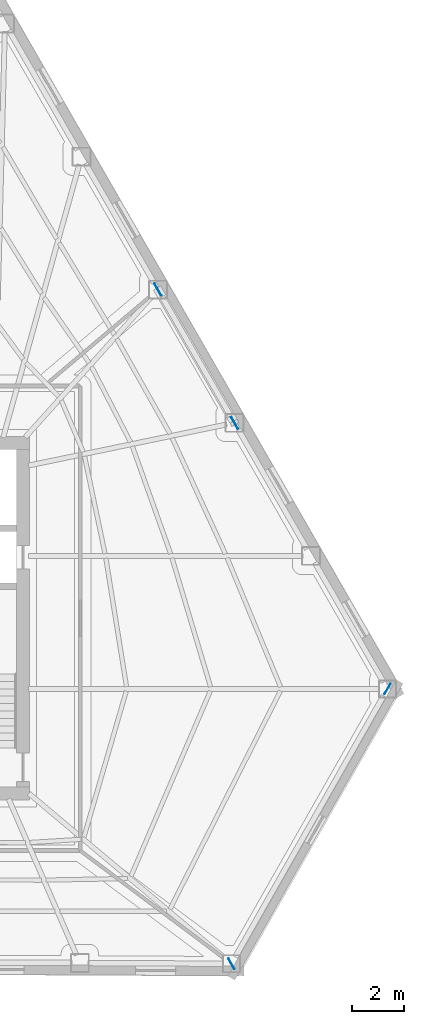
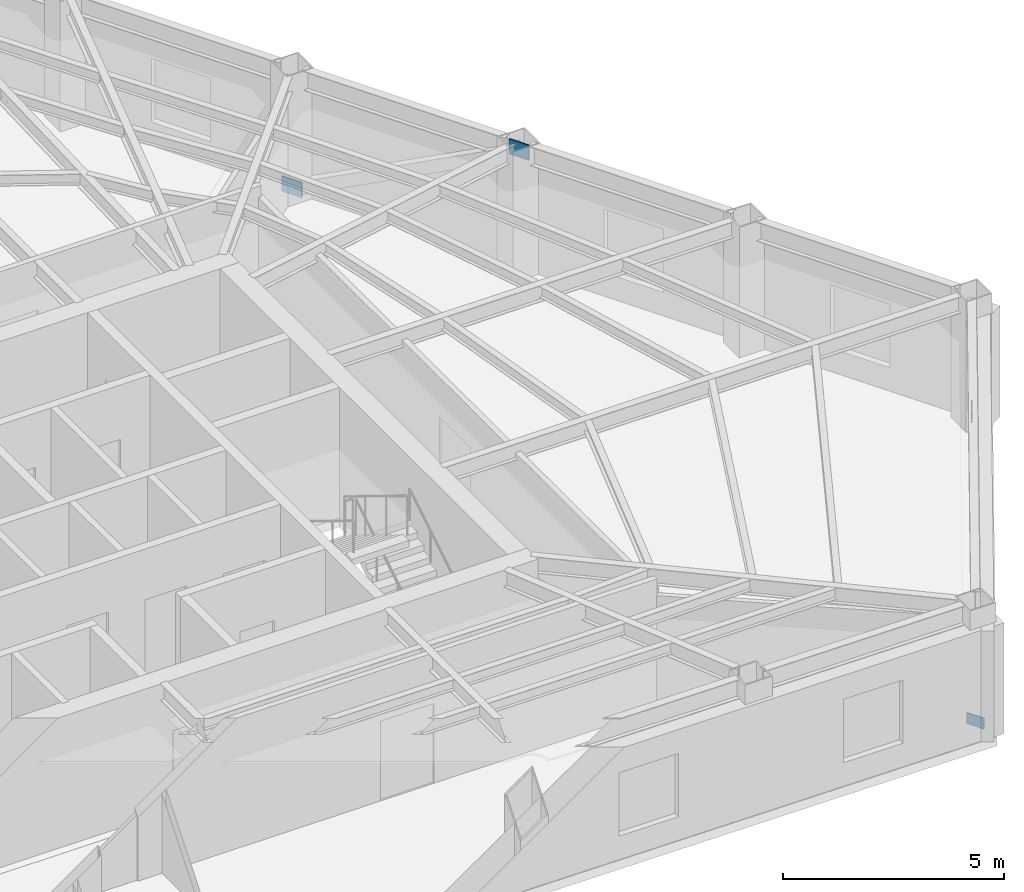
# One storey, part 6 of 13: 4 plates.
"""IFC4 building model written with IfcOpenShell, lengths in metres."""

import ifcopenshell
import ifcopenshell.guid

model = None  # the IFC model being written
_history = None  # IfcOwnerHistory: only IFC2X3 demands one
_inside = {}  # id of a spatial element -> (the spatial element, [elements in it])
_under = {}  # id of a project, library or spatial element -> (it, [spatial elements below it])
_declared = {}  # id of a project -> (the project, [libraries it declares])
_typed = {}  # id of a type object -> (the type object, [elements of that type])
_made_of = {}  # id of a material, layer set ... -> (it, [elements and type objects made of it])


def new_model(schema):
    """Start an empty IFC model of exactly this schema.

    Asked for "IFC4X3", IfcOpenShell would pick the latest addendum, in which some entities
    have other attributes; the version numbers below select the first issue.
    IFC2X3 requires an IfcOwnerHistory on every rooted entity: one is made here for all.
    """
    global model, _history
    if schema == "IFC4X3":
        model = ifcopenshell.file(schema_version=(4, 3, 0, 0))
    else:
        model = ifcopenshell.file(schema=schema)
    _inside.clear()
    _under.clear()
    _declared.clear()
    _typed.clear()
    _made_of.clear()
    _history = None
    if model.schema == "IFC2X3":
        org = make("IfcOrganization", Name="unknown")
        user = make(
            "IfcPersonAndOrganization",
            ThePerson=make("IfcPerson", FamilyName="unknown"),
            TheOrganization=org,
        )
        app = make(
            "IfcApplication",
            ApplicationDeveloper=org,
            Version="unknown",
            ApplicationFullName="unknown",
            ApplicationIdentifier="unknown",
        )
        _history = make(
            "IfcOwnerHistory",
            OwningUser=user,
            OwningApplication=app,
            ChangeAction="ADDED",
            CreationDate=0,
        )
    return model


def make(cls, **values):
    """One entity of the class cls with the attributes given. An attribute that is None is left unset."""
    return model.create_entity(
        cls, **{name: value for name, value in values.items() if value is not None}
    )


def rooted(cls, **values):
    """An entity with a GlobalId (a new one), such as an element, a storey or a relation."""
    return make(cls, GlobalId=ifcopenshell.guid.new(), OwnerHistory=_history, **values)


def si_unit(unit_type, name, prefix=None):
    """IfcSIUnit, for example si_unit("LENGTHUNIT", "METRE", prefix="MILLI")."""
    return make("IfcSIUnit", UnitType=unit_type, Prefix=prefix, Name=name)


def assignment(units):
    """IfcUnitAssignment: the units of a project."""
    return None if units is None else make("IfcUnitAssignment", Units=units)


def point(xyz):
    """IfcCartesianPoint."""
    return None if xyz is None else make("IfcCartesianPoint", Coordinates=xyz)


def direction(xyz):
    """IfcDirection."""
    return None if xyz is None else make("IfcDirection", DirectionRatios=xyz)


def frame(location, z_axis=None, x_axis=None):
    """IfcAxis2Placement3D, a coordinate frame: its origin and axes. An axis left out is left unset."""
    return make(
        "IfcAxis2Placement3D",
        Location=point(location),
        Axis=direction(z_axis),
        RefDirection=direction(x_axis),
    )


def frame_2d(location, x_axis=None):
    """IfcAxis2Placement2D, a coordinate frame in the plane: its origin and x axis."""
    return make(
        "IfcAxis2Placement2D", Location=point(location), RefDirection=direction(x_axis)
    )


def origin():
    """The frame at (0, 0, 0) with its axes left unset."""
    return frame((0.0, 0.0, 0.0))


def origin_2d():
    """The frame at (0, 0) in the plane with its x axis left unset."""
    return frame_2d((0.0, 0.0))


def place(relative_to, where):
    """IfcLocalPlacement: puts the frame where relative to a parent placement (None: the world)."""
    return make(
        "IfcLocalPlacement", PlacementRelTo=relative_to, RelativePlacement=where
    )


def context(
    kind, dimensions, precision=None, world=None, true_north=None, identifier=None
):
    """IfcGeometricRepresentationContext, for example the 3D "Model" context."""
    return make(
        "IfcGeometricRepresentationContext",
        ContextIdentifier=identifier,
        ContextType=kind,
        CoordinateSpaceDimension=dimensions,
        Precision=precision,
        WorldCoordinateSystem=world,
        TrueNorth=true_north,
    )


def subcontext(parent, identifier, kind, view, scale=None):
    """IfcGeometricRepresentationSubContext, for example "Body" below "Model"."""
    return make(
        "IfcGeometricRepresentationSubContext",
        ContextIdentifier=identifier,
        ContextType=kind,
        ParentContext=parent,
        TargetScale=scale,
        TargetView=view,
    )


def project(units=None, contexts=None):
    """IfcProject with its units and contexts."""
    return rooted(
        "IfcProject",
        Name="project",
        RepresentationContexts=contexts,
        UnitsInContext=assignment(units),
    )


def spatial(cls, under=None, at=None, **own):
    """A site, building, storey or space (cls), placed at a placement, below another one or the project."""
    s = rooted(cls, ObjectPlacement=at, **own)
    if under is not None:
        _under.setdefault(under.id(), (under, []))[1].append(s)
    return s


def profile(cls, at=None, kind="AREA", **sizes):
    """A parametric profile (cls). Its sizes go by their IFC names, for example OverallWidth=200.0."""
    return make(cls, ProfileType=kind, Position=at, **sizes)


def rectangle(**sizes):
    """IfcRectangleProfileDef."""
    return profile("IfcRectangleProfileDef", **sizes)


def extrude(swept, where, along, depth):
    """IfcExtrudedAreaSolid: the profile swept, set in the frame where, extruded along a direction by depth."""
    return make(
        "IfcExtrudedAreaSolid",
        SweptArea=swept,
        Position=where,
        ExtrudedDirection=direction(along),
        Depth=depth,
    )


def shape(context_of_items, identifier, shape_type, items):
    """IfcShapeRepresentation: the items that make up one representation, for example the "Body"."""
    return make(
        "IfcShapeRepresentation",
        ContextOfItems=context_of_items,
        RepresentationIdentifier=identifier,
        RepresentationType=shape_type,
        Items=items,
    )


def material(Name=None, Category=None):
    """IfcMaterial."""
    return make("IfcMaterial", Name=Name, Category=Category)


def layer(
    of_material, thickness, ventilated=None, Name=None, Category=None, Priority=None
):
    """IfcMaterialLayer: one layer of a wall or slab, of a material (None: an air gap)."""
    return make(
        "IfcMaterialLayer",
        Material=of_material,
        LayerThickness=thickness,
        IsVentilated=ventilated,
        Name=Name,
        Category=Category,
        Priority=Priority,
    )


def layer_set(layers, Name=None):
    """IfcMaterialLayerSet."""
    return make("IfcMaterialLayerSet", MaterialLayers=layers, LayerSetName=Name)


def made_of(thing, what):
    """Note that an element or type object is made of a material, layer set ...; save() writes the relation."""
    if what is not None:
        _made_of.setdefault(what.id(), (what, []))[1].append(thing)
    return thing


def type_object(cls, material=None, **own):
    """A type object (cls), such as IfcWallType, which elements share."""
    return made_of(rooted(cls, **own), material)


def element(
    cls,
    number,
    at=None,
    inside=None,
    cuts=None,
    type_object=None,
    material=None,
    context=None,
    identifier="Body",
    shape_type=None,
    held_by="IfcProductDefinitionShape",
    body=None,
    shapes=None,
    **own,
):
    """One element of the class cls, such as IfcWall. Its Tag is "e" and its number.

    at: its placement. inside: the storey or other place that contains it. cuts: it is an
    opening in that element (IfcRelVoidsElement). A single representation is given by context,
    identifier, shape_type and body (its items); several are given by shapes. held_by: the class
    of the entity that holds the representations. save() writes the other relations.
    """
    e = rooted(cls, Tag="e%d" % number, ObjectPlacement=at, **own)
    if body is not None:
        shapes = [shape(context, identifier, shape_type, body)]
    if shapes is not None:
        e.Representation = make(held_by, Representations=shapes)
    if inside is not None:
        _inside.setdefault(inside.id(), (inside, []))[1].append(e)
    if cuts is not None:
        rooted(
            "IfcRelVoidsElement", RelatingBuildingElement=cuts, RelatedOpeningElement=e
        )
    if type_object is not None:
        _typed.setdefault(type_object.id(), (type_object, []))[1].append(e)
    return made_of(e, material)


def aggregate(whole, parts):
    """IfcRelAggregates: a whole, such as a stair, and the parts it consists of."""
    return rooted("IfcRelAggregates", RelatingObject=whole, RelatedObjects=parts)


def save(model, path):
    """Write the relations noted so far, then the file.

    IfcRelAggregates (storeys below a building ...), IfcRelContainedInSpatialStructure (elements
    in a storey), IfcRelDefinesByType, IfcRelAssociatesMaterial and IfcRelDeclares: one each for
    every whole, place, type object, material and project.
    """
    for whole, parts in _under.values():
        aggregate(whole, parts)
    for where, things in _inside.values():
        rooted(
            "IfcRelContainedInSpatialStructure",
            RelatedElements=things,
            RelatingStructure=where,
        )
    for kind, things in _typed.values():
        rooted("IfcRelDefinesByType", RelatedObjects=things, RelatingType=kind)
    for what, things in _made_of.values():
        rooted("IfcRelAssociatesMaterial", RelatedObjects=things, RelatingMaterial=what)
    for by, libraries in _declared.values():
        rooted("IfcRelDeclares", RelatingContext=by, RelatedDefinitions=libraries)
    model.write(path)


model = new_model("IFC4")

# Units and contexts
model_context = context("Model", 3, precision=1e-05, world=origin(), true_north=direction((0.0, 1.0)))
body_context = subcontext(model_context, "Body", "Model", "MODEL_VIEW")
ifc_project = project(units=[si_unit("LENGTHUNIT", "METRE"), si_unit("AREAUNIT", "SQUARE_METRE"), si_unit("VOLUMEUNIT", "CUBIC_METRE"), si_unit("PLANEANGLEUNIT", "RADIAN"), si_unit("MASSUNIT", "GRAM", prefix="KILO")], contexts=[model_context])

# Site, building, storey
site_placement = place(None, origin())
site = spatial("IfcSite", under=ifc_project, at=site_placement, CompositionType="ELEMENT")
building_placement = place(site_placement, origin())
building = spatial("IfcBuilding", under=site, at=building_placement, Name="Kavelnor Concourse Tower", CompositionType="ELEMENT")
storey_placement = place(building_placement, frame((0.0, 0.0, 100.89990234375)))
storey = spatial("IfcBuildingStorey", under=building, at=storey_placement, Name="L25", CompositionType="ELEMENT", Elevation=100.89990234375)

# Plates
ifc_material = material(Name="Steel Grade 350", Category="steel")
ifc_layer_1 = layer(ifc_material, 0.028076171875, Name="Steel Grade 350")
ifc_layer_set_1 = layer_set([ifc_layer_1], Name="Steel Grade 350")
plate_type_1 = type_object("IfcPlateType", Name="PL-GUSSET-FOLD", PredefinedType="USERDEFINED", material=ifc_layer_set_1)
for number, where, z_axis, x_axis, name in (
    (1, (55.797119140625, 2.784912109375, 0.10009765625), (0.0, 0.0, 1.0), (-0.5, 0.866025403784, 0.0), "L25 Herringbone Corner-Fold Kink Gusset Plate F1-B6"),
    (2, (61.810791015625, 13.372802734375, 0.10009765625), (0.0, 0.0, 1.0), (-0.5, -0.866025403784, 0.0), "L25 Herringbone Corner-Fold Kink Gusset Plate F2-B0"),
):
    element("IfcPlate", number, at=place(storey_placement, frame(where, z_axis=z_axis, x_axis=x_axis)), inside=storey, type_object=plate_type_1, Name=name, ObjectType="GUSSET_PLATE", PredefinedType="USERDEFINED", context=body_context, shape_type="SweptSolid", body=[
        extrude(rectangle(XDim=0.4599609375, YDim=0.028076171875, at=origin_2d()), origin(), (0.0, 0.0, 1.0), 0.300048828125),
    ])
ifc_layer_2 = layer(ifc_material, 0.031982421875, Name="Steel Grade 350")
ifc_layer_set_2 = layer_set([ifc_layer_2], Name="Steel Grade 350")
plate_type_2 = type_object("IfcPlateType", Name="PL-GUSSET-TUBE-Z1", PredefinedType="USERDEFINED", material=ifc_layer_set_2)
for number, where, z_axis, x_axis, name in (
    (3, (52.961181640625, 28.767578125, 0.01025390625), (0.0, 0.0, 1.0), (0.498336430137, -0.866983738255, 0.0), "L25 Tube Brace Gusset GP3 F2-B2 End Gusset A"),
    (4, (55.9208984375, 23.61865234375, 3.12353515625), (0.0, 0.0, 1.0), (0.498336430137, -0.866983738255, 0.0), "L25 Tube Brace Gusset GP3 F2-B2 End Gusset B"),
):
    element("IfcPlate", number, at=place(storey_placement, frame(where, z_axis=z_axis, x_axis=x_axis)), inside=storey, type_object=plate_type_2, Name=name, ObjectType="GUSSET_PLATE", PredefinedType="USERDEFINED", context=body_context, shape_type="SweptSolid", body=[
        extrude(rectangle(XDim=0.52001953125, YDim=0.031982421875, at=origin_2d()), origin(), (0.0, 0.0, 1.0), 0.419921875),
    ])

save(model, "model.ifc")
